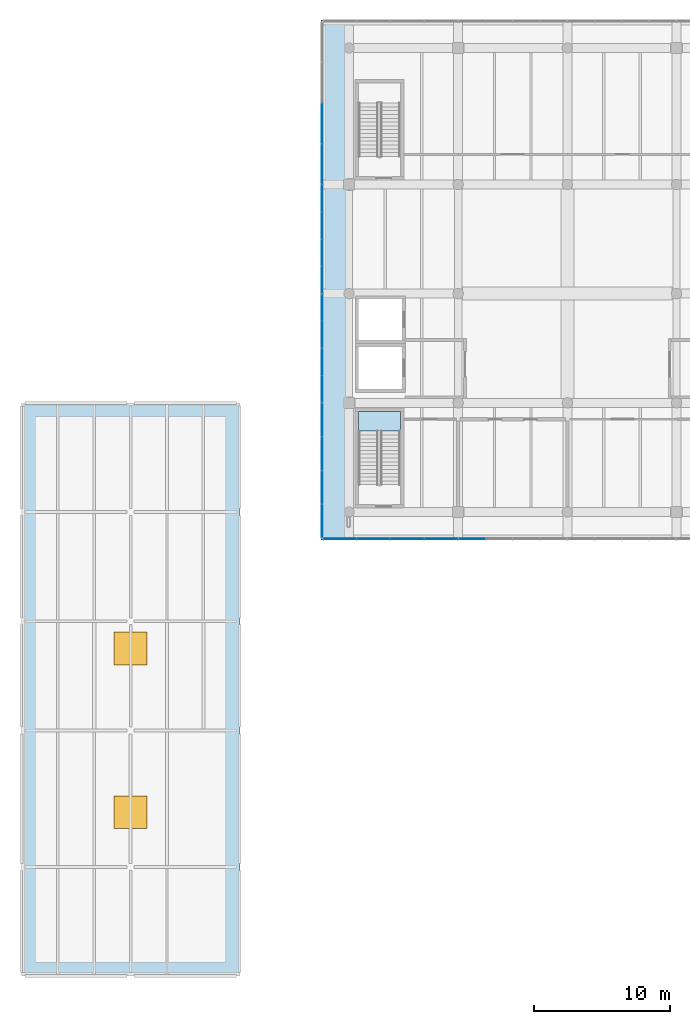
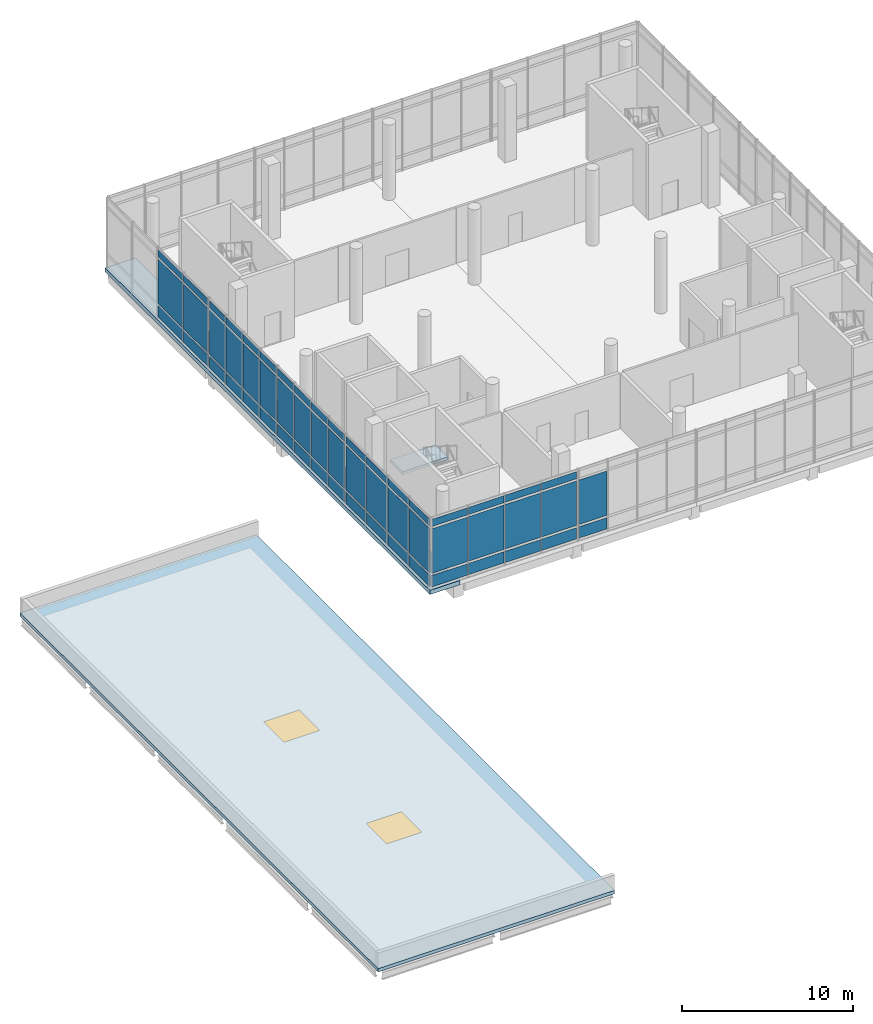
# One storey, part 10 of 20: 56 plates, 3 slabs, 2 windows, 2 openings, 7 elements without a shape of their own.
"""IFC4 building model written with IfcOpenShell, lengths in metres."""

from ifc_helpers import new_model, si_unit, direction, frame, origin, origin_2d, place, context, subcontext, project, spatial, polyline, rectangle, outline, extrude, material, layer, layer_set, type_object, element, fill, aggregate, save


model = new_model("IFC4")

# Units and contexts
model_context = context("Model", 3, precision=1e-05, world=origin(), true_north=direction((0.0, 1.0)))
body_context = subcontext(model_context, "Body", "Model", "MODEL_VIEW")
ifc_project = project(units=[si_unit("LENGTHUNIT", "METRE"), si_unit("AREAUNIT", "SQUARE_METRE"), si_unit("VOLUMEUNIT", "CUBIC_METRE"), si_unit("PLANEANGLEUNIT", "RADIAN"), si_unit("MASSUNIT", "GRAM", prefix="KILO")], contexts=[model_context])

# Site, building, storey
site_placement = place(None, origin())
site = spatial("IfcSite", under=ifc_project, at=site_placement, CompositionType="ELEMENT")
building_placement = place(site_placement, origin())
building = spatial("IfcBuilding", under=site, at=building_placement, Name="Pecanmere Concourse Central Library", CompositionType="ELEMENT")
storey_placement = place(building_placement, frame((0.0, 0.0, 24.89990234375)))
storey = spatial("IfcBuildingStorey", under=building, at=storey_placement, Name="L06", CompositionType="ELEMENT", Elevation=24.89990234375)

# Curtain wall, plates
ifc_material_1 = material(Name="Anodized bronze aluminium alloy 6063-T6", Category="aluminium")
curtain_wall_type = type_object("IfcCurtainWallType", Name="CW_PLUMB_BANDED", PredefinedType="USERDEFINED", material=ifc_material_1)
curtain_wall_1_placement = place(storey_placement, origin())
curtain_wall_1 = element("IfcCurtainWall", 1, at=curtain_wall_1_placement, inside=storey, type_object=curtain_wall_type, Name="Unitised Curtain Wall CW-02 L06-074", ObjectType="UNITISED CURTAIN WALL", PredefinedType="USERDEFINED")
ifc_material_2 = material(Name="White ceramic-fritted insulated spandrel glazing", Category="glass")
ifc_layer_1 = layer(ifc_material_2, 0.053955078125, Name="CWP_SPN_54")
ifc_layer_set_1 = layer_set([ifc_layer_1], Name="White ceramic-fritted insulated spandrel glazing")
plate_type_1 = type_object("IfcPlateType", Name="CWP_SPN_54", PredefinedType="CURTAIN_PANEL", material=ifc_layer_set_1)
plate_1_placement = place(storey_placement, frame((71.334228515625, 88.03857421875, 0.16015625), z_axis=(0.0, 0.0, 1.0), x_axis=(1.0, 0.0, 0.0)))
plate_1 = element("IfcPlate", 2, at=plate_1_placement, type_object=plate_type_1, Name="CW-02 Spandrel Panel 1.1", PredefinedType="CURTAIN_PANEL", context=body_context, shape_type="SweptSolid", body=[
    extrude(rectangle(XDim=2.381591796875, YDim=0.035888671875, at=origin_2d()), origin(), (0.0, 0.0, 1.0), 0.81005859375),
])
plate_2_placement = place(storey_placement, frame((73.797119140625, 88.03857421875, 0.16015625), z_axis=(0.0, 0.0, 1.0), x_axis=(1.0, 0.0, 0.0)))
plate_2 = element("IfcPlate", 3, at=plate_2_placement, type_object=plate_type_1, Name="CW-02 Spandrel Panel 2.1", PredefinedType="CURTAIN_PANEL", context=body_context, shape_type="SweptSolid", body=[
    extrude(rectangle(XDim=2.4140625, YDim=0.035888671875, at=origin_2d()), origin(), (0.0, 0.0, 1.0), 0.81005859375),
])
plate_3_placement = place(storey_placement, frame((76.2763671875, 88.03857421875, 0.16015625), z_axis=(0.0, 0.0, 1.0), x_axis=(1.0, 0.0, 0.0)))
plate_3 = element("IfcPlate", 4, at=plate_3_placement, type_object=plate_type_1, Name="CW-02 Spandrel Panel 3.1", PredefinedType="CURTAIN_PANEL", context=body_context, shape_type="SweptSolid", body=[
    extrude(rectangle(XDim=2.4140625, YDim=0.035888671875, at=origin_2d()), origin(), (0.0, 0.0, 1.0), 0.81005859375),
])
plate_4_placement = place(storey_placement, frame((78.7392578125, 88.03857421875, 0.16015625), z_axis=(0.0, 0.0, 1.0), x_axis=(1.0, 0.0, 0.0)))
plate_4 = element("IfcPlate", 5, at=plate_4_placement, type_object=plate_type_1, Name="CW-02 Spandrel Panel 4.1", PredefinedType="CURTAIN_PANEL", context=body_context, shape_type="SweptSolid", body=[
    extrude(rectangle(XDim=2.381591796875, YDim=0.035888671875, at=origin_2d()), origin(), (0.0, 0.0, 1.0), 0.81005859375),
])

# Curtain wall, plate
curtain_wall_2_placement = place(storey_placement, origin())
curtain_wall_2 = element("IfcCurtainWall", 6, at=curtain_wall_2_placement, inside=storey, type_object=curtain_wall_type, Name="Unitised Curtain Wall CW-02 L06-075", ObjectType="UNITISED CURTAIN WALL", PredefinedType="USERDEFINED")
plate_5_placement = place(storey_placement, frame((81.02001953125, 88.03857421875, 0.16015625), z_axis=(0.0, 0.0, 1.0), x_axis=(1.0, 0.0, 0.0)))
plate_5 = element("IfcPlate", 7, at=plate_5_placement, type_object=plate_type_1, Name="CW-02 Spandrel Panel 1.1", PredefinedType="CURTAIN_PANEL", context=body_context, shape_type="SweptSolid", body=[
    extrude(rectangle(XDim=1.89990234375, YDim=0.035888671875, at=origin_2d()), origin(), (0.0, 0.0, 1.0), 0.81005859375),
])

# Curtain wall, plates
curtain_wall_3_placement = place(storey_placement, origin())
curtain_wall_3 = element("IfcCurtainWall", 8, at=curtain_wall_3_placement, inside=storey, type_object=curtain_wall_type, Name="Unitised Curtain Wall CW-02 L06-081", ObjectType="UNITISED CURTAIN WALL", PredefinedType="USERDEFINED")
plate_6_placement = place(storey_placement, frame((70.03857421875, 118.4736328125, 0.16015625), z_axis=(0.0, 0.0, 1.0), x_axis=(0.0, -1.0, 0.0)))
plate_6 = element("IfcPlate", 9, at=plate_6_placement, type_object=plate_type_1, Name="CW-02 Spandrel Panel 3.1", PredefinedType="CURTAIN_PANEL", context=body_context, shape_type="SweptSolid", body=[
    extrude(rectangle(XDim=2.9140625, YDim=0.035888671875, at=origin_2d()), origin(), (0.0, 0.0, 1.0), 0.81005859375),
])
plate_7_placement = place(storey_placement, frame((70.03857421875, 115.5107421875, 0.16015625), z_axis=(0.0, 0.0, 1.0), x_axis=(0.0, -1.0, 0.0)))
plate_7 = element("IfcPlate", 10, at=plate_7_placement, type_object=plate_type_1, Name="CW-02 Spandrel Panel 4.1", PredefinedType="CURTAIN_PANEL", context=body_context, shape_type="SweptSolid", body=[
    extrude(rectangle(XDim=2.881591796875, YDim=0.035888671875, at=origin_2d()), origin(), (0.0, 0.0, 1.0), 0.81005859375),
])

curtain_wall_4_placement = place(storey_placement, origin())
curtain_wall_4 = element("IfcCurtainWall", 11, at=curtain_wall_4_placement, inside=storey, type_object=curtain_wall_type, Name="Unitised Curtain Wall CW-02 L06-082", ObjectType="UNITISED CURTAIN WALL", PredefinedType="USERDEFINED")
plate_8_placement = place(storey_placement, frame((70.03857421875, 112.97998046875, 0.16015625), z_axis=(0.0, 0.0, 1.0), x_axis=(0.0, -1.0, 0.0)))
plate_8 = element("IfcPlate", 12, at=plate_8_placement, type_object=plate_type_1, Name="CW-02 Spandrel Panel 1.1", PredefinedType="CURTAIN_PANEL", context=body_context, shape_type="SweptSolid", body=[
    extrude(rectangle(XDim=1.89990234375, YDim=0.035888671875, at=origin_2d()), origin(), (0.0, 0.0, 1.0), 0.81005859375),
])
plate_9_placement = place(storey_placement, frame((70.03857421875, 110.998779296875, 0.16015625), z_axis=(0.0, 0.0, 1.0), x_axis=(0.0, -1.0, 0.0)))
plate_9 = element("IfcPlate", 13, at=plate_9_placement, type_object=plate_type_1, Name="CW-02 Spandrel Panel 2.1", PredefinedType="CURTAIN_PANEL", context=body_context, shape_type="SweptSolid", body=[
    extrude(rectangle(XDim=1.9326171875, YDim=0.035888671875, at=origin_2d()), origin(), (0.0, 0.0, 1.0), 0.81005859375),
])
plate_10_placement = place(storey_placement, frame((70.03857421875, 109.001220703125, 0.16015625), z_axis=(0.0, 0.0, 1.0), x_axis=(0.0, -1.0, 0.0)))
plate_10 = element("IfcPlate", 14, at=plate_10_placement, type_object=plate_type_1, Name="CW-02 Spandrel Panel 3.1", PredefinedType="CURTAIN_PANEL", context=body_context, shape_type="SweptSolid", body=[
    extrude(rectangle(XDim=1.9326171875, YDim=0.035888671875, at=origin_2d()), origin(), (0.0, 0.0, 1.0), 0.81005859375),
])
plate_11_placement = place(storey_placement, frame((70.03857421875, 107.02001953125, 0.16015625), z_axis=(0.0, 0.0, 1.0), x_axis=(0.0, -1.0, 0.0)))
plate_11 = element("IfcPlate", 15, at=plate_11_placement, type_object=plate_type_1, Name="CW-02 Spandrel Panel 4.1", PredefinedType="CURTAIN_PANEL", context=body_context, shape_type="SweptSolid", body=[
    extrude(rectangle(XDim=1.89990234375, YDim=0.035888671875, at=origin_2d()), origin(), (0.0, 0.0, 1.0), 0.81005859375),
])

curtain_wall_5_placement = place(storey_placement, origin())
curtain_wall_5 = element("IfcCurtainWall", 16, at=curtain_wall_5_placement, inside=storey, type_object=curtain_wall_type, Name="Unitised Curtain Wall CW-02 L06-083", ObjectType="UNITISED CURTAIN WALL", PredefinedType="USERDEFINED")
plate_12_placement = place(storey_placement, frame((70.03857421875, 104.97998046875, 0.16015625), z_axis=(0.0, 0.0, 1.0), x_axis=(0.0, -1.0, 0.0)))
plate_12 = element("IfcPlate", 17, at=plate_12_placement, type_object=plate_type_1, Name="CW-02 Spandrel Panel 1.1", PredefinedType="CURTAIN_PANEL", context=body_context, shape_type="SweptSolid", body=[
    extrude(rectangle(XDim=1.89990234375, YDim=0.035888671875, at=origin_2d()), origin(), (0.0, 0.0, 1.0), 0.81005859375),
])
plate_13_placement = place(storey_placement, frame((70.03857421875, 102.998779296875, 0.16015625), z_axis=(0.0, 0.0, 1.0), x_axis=(0.0, -1.0, 0.0)))
plate_13 = element("IfcPlate", 18, at=plate_13_placement, type_object=plate_type_1, Name="CW-02 Spandrel Panel 2.1", PredefinedType="CURTAIN_PANEL", context=body_context, shape_type="SweptSolid", body=[
    extrude(rectangle(XDim=1.9326171875, YDim=0.035888671875, at=origin_2d()), origin(), (0.0, 0.0, 1.0), 0.81005859375),
])
plate_14_placement = place(storey_placement, frame((70.03857421875, 101.001220703125, 0.16015625), z_axis=(0.0, 0.0, 1.0), x_axis=(0.0, -1.0, 0.0)))
plate_14 = element("IfcPlate", 19, at=plate_14_placement, type_object=plate_type_1, Name="CW-02 Spandrel Panel 3.1", PredefinedType="CURTAIN_PANEL", context=body_context, shape_type="SweptSolid", body=[
    extrude(rectangle(XDim=1.9326171875, YDim=0.035888671875, at=origin_2d()), origin(), (0.0, 0.0, 1.0), 0.81005859375),
])
plate_15_placement = place(storey_placement, frame((70.03857421875, 99.02001953125, 0.16015625), z_axis=(0.0, 0.0, 1.0), x_axis=(0.0, -1.0, 0.0)))
plate_15 = element("IfcPlate", 20, at=plate_15_placement, type_object=plate_type_1, Name="CW-02 Spandrel Panel 4.1", PredefinedType="CURTAIN_PANEL", context=body_context, shape_type="SweptSolid", body=[
    extrude(rectangle(XDim=1.89990234375, YDim=0.035888671875, at=origin_2d()), origin(), (0.0, 0.0, 1.0), 0.81005859375),
])

curtain_wall_6_placement = place(storey_placement, origin())
curtain_wall_6 = element("IfcCurtainWall", 21, at=curtain_wall_6_placement, inside=storey, type_object=curtain_wall_type, Name="Unitised Curtain Wall CW-02 L06-084", ObjectType="UNITISED CURTAIN WALL", PredefinedType="USERDEFINED")
plate_16_placement = place(storey_placement, frame((70.03857421875, 96.7392578125, 0.16015625), z_axis=(0.0, 0.0, 1.0), x_axis=(0.0, -1.0, 0.0)))
plate_16 = element("IfcPlate", 22, at=plate_16_placement, type_object=plate_type_1, Name="CW-02 Spandrel Panel 1.1", PredefinedType="CURTAIN_PANEL", context=body_context, shape_type="SweptSolid", body=[
    extrude(rectangle(XDim=2.381591796875, YDim=0.035888671875, at=origin_2d()), origin(), (0.0, 0.0, 1.0), 0.81005859375),
])
plate_17_placement = place(storey_placement, frame((70.03857421875, 94.2763671875, 0.16015625), z_axis=(0.0, 0.0, 1.0), x_axis=(0.0, -1.0, 0.0)))
plate_17 = element("IfcPlate", 23, at=plate_17_placement, type_object=plate_type_1, Name="CW-02 Spandrel Panel 2.1", PredefinedType="CURTAIN_PANEL", context=body_context, shape_type="SweptSolid", body=[
    extrude(rectangle(XDim=2.4140625, YDim=0.035888671875, at=origin_2d()), origin(), (0.0, 0.0, 1.0), 0.81005859375),
])
plate_18_placement = place(storey_placement, frame((70.03857421875, 91.797119140625, 0.16015625), z_axis=(0.0, 0.0, 1.0), x_axis=(0.0, -1.0, 0.0)))
plate_18 = element("IfcPlate", 24, at=plate_18_placement, type_object=plate_type_1, Name="CW-02 Spandrel Panel 3.1", PredefinedType="CURTAIN_PANEL", context=body_context, shape_type="SweptSolid", body=[
    extrude(rectangle(XDim=2.4140625, YDim=0.035888671875, at=origin_2d()), origin(), (0.0, 0.0, 1.0), 0.81005859375),
])
plate_19_placement = place(storey_placement, frame((70.03857421875, 89.334228515625, 0.16015625), z_axis=(0.0, 0.0, 1.0), x_axis=(0.0, -1.0, 0.0)))
plate_19 = element("IfcPlate", 25, at=plate_19_placement, type_object=plate_type_1, Name="CW-02 Spandrel Panel 4.1", PredefinedType="CURTAIN_PANEL", context=body_context, shape_type="SweptSolid", body=[
    extrude(rectangle(XDim=2.381591796875, YDim=0.035888671875, at=origin_2d()), origin(), (0.0, 0.0, 1.0), 0.81005859375),
])

# Plate
ifc_material_3 = material(Name="Low-iron clear insulated glazing", Category="glass")
ifc_layer_2 = layer(ifc_material_3, 0.035888671875, Name="CWP_VIS_36")
ifc_layer_set_2 = layer_set([ifc_layer_2], Name="Low-iron clear insulated glazing")
plate_type_2 = type_object("IfcPlateType", Name="CWP_VIS_36", PredefinedType="CURTAIN_PANEL", material=ifc_layer_set_2)
plate_20_placement = place(storey_placement, frame((71.334228515625, 88.03857421875, 1.13037109375), z_axis=(0.0, 0.0, 1.0), x_axis=(1.0, 0.0, 0.0)))
plate_20 = element("IfcPlate", 26, at=plate_20_placement, type_object=plate_type_2, Name="CW-02 Vision Panel 1.2", PredefinedType="CURTAIN_PANEL", context=body_context, shape_type="SweptSolid", body=[
    extrude(rectangle(XDim=2.381591796875, YDim=0.035888671875, at=origin_2d()), origin(), (0.0, 0.0, 1.0), 3.179931640625),
])

plate_21_placement = place(storey_placement, frame((71.334228515625, 88.03857421875, 4.47021484375), z_axis=(0.0, 0.0, 1.0), x_axis=(1.0, 0.0, 0.0)))
plate_21 = element("IfcPlate", 27, at=plate_21_placement, type_object=plate_type_2, Name="CW-02 Vision Panel 1.3", PredefinedType="CURTAIN_PANEL", context=body_context, shape_type="SweptSolid", body=[
    extrude(rectangle(XDim=2.381591796875, YDim=0.035888671875, at=origin_2d()), origin(), (0.0, 0.0, 1.0), 0.510009765625),
])

plate_22_placement = place(storey_placement, frame((73.797119140625, 88.03857421875, 1.13037109375), z_axis=(0.0, 0.0, 1.0), x_axis=(1.0, 0.0, 0.0)))
plate_22 = element("IfcPlate", 28, at=plate_22_placement, type_object=plate_type_2, Name="CW-02 Vision Panel 2.2", PredefinedType="CURTAIN_PANEL", context=body_context, shape_type="SweptSolid", body=[
    extrude(rectangle(XDim=2.4140625, YDim=0.035888671875, at=origin_2d()), origin(), (0.0, 0.0, 1.0), 3.179931640625),
])

plate_23_placement = place(storey_placement, frame((73.797119140625, 88.03857421875, 4.47021484375), z_axis=(0.0, 0.0, 1.0), x_axis=(1.0, 0.0, 0.0)))
plate_23 = element("IfcPlate", 29, at=plate_23_placement, type_object=plate_type_2, Name="CW-02 Vision Panel 2.3", PredefinedType="CURTAIN_PANEL", context=body_context, shape_type="SweptSolid", body=[
    extrude(rectangle(XDim=2.4140625, YDim=0.035888671875, at=origin_2d()), origin(), (0.0, 0.0, 1.0), 0.510009765625),
])

plate_24_placement = place(storey_placement, frame((76.2763671875, 88.03857421875, 1.13037109375), z_axis=(0.0, 0.0, 1.0), x_axis=(1.0, 0.0, 0.0)))
plate_24 = element("IfcPlate", 30, at=plate_24_placement, type_object=plate_type_2, Name="CW-02 Vision Panel 3.2", PredefinedType="CURTAIN_PANEL", context=body_context, shape_type="SweptSolid", body=[
    extrude(rectangle(XDim=2.4140625, YDim=0.035888671875, at=origin_2d()), origin(), (0.0, 0.0, 1.0), 3.179931640625),
])

plate_25_placement = place(storey_placement, frame((76.2763671875, 88.03857421875, 4.47021484375), z_axis=(0.0, 0.0, 1.0), x_axis=(1.0, 0.0, 0.0)))
plate_25 = element("IfcPlate", 31, at=plate_25_placement, type_object=plate_type_2, Name="CW-02 Vision Panel 3.3", PredefinedType="CURTAIN_PANEL", context=body_context, shape_type="SweptSolid", body=[
    extrude(rectangle(XDim=2.4140625, YDim=0.035888671875, at=origin_2d()), origin(), (0.0, 0.0, 1.0), 0.510009765625),
])

plate_26_placement = place(storey_placement, frame((78.7392578125, 88.03857421875, 1.13037109375), z_axis=(0.0, 0.0, 1.0), x_axis=(1.0, 0.0, 0.0)))
plate_26 = element("IfcPlate", 32, at=plate_26_placement, type_object=plate_type_2, Name="CW-02 Vision Panel 4.2", PredefinedType="CURTAIN_PANEL", context=body_context, shape_type="SweptSolid", body=[
    extrude(rectangle(XDim=2.381591796875, YDim=0.035888671875, at=origin_2d()), origin(), (0.0, 0.0, 1.0), 3.179931640625),
])

plate_27_placement = place(storey_placement, frame((78.7392578125, 88.03857421875, 4.47021484375), z_axis=(0.0, 0.0, 1.0), x_axis=(1.0, 0.0, 0.0)))
plate_27 = element("IfcPlate", 33, at=plate_27_placement, type_object=plate_type_2, Name="CW-02 Vision Panel 4.3", PredefinedType="CURTAIN_PANEL", context=body_context, shape_type="SweptSolid", body=[
    extrude(rectangle(XDim=2.381591796875, YDim=0.035888671875, at=origin_2d()), origin(), (0.0, 0.0, 1.0), 0.510009765625),
])

aggregate(curtain_wall_1, [plate_1, plate_20, plate_21, plate_2, plate_22, plate_23, plate_3, plate_24, plate_25, plate_4, plate_26, plate_27])

plate_28_placement = place(storey_placement, frame((81.02001953125, 88.03857421875, 1.13037109375), z_axis=(0.0, 0.0, 1.0), x_axis=(1.0, 0.0, 0.0)))
plate_28 = element("IfcPlate", 34, at=plate_28_placement, type_object=plate_type_2, Name="CW-02 Vision Panel 1.2", PredefinedType="CURTAIN_PANEL", context=body_context, shape_type="SweptSolid", body=[
    extrude(rectangle(XDim=1.89990234375, YDim=0.035888671875, at=origin_2d()), origin(), (0.0, 0.0, 1.0), 3.179931640625),
])

aggregate(curtain_wall_2, [plate_5, plate_28])

plate_29_placement = place(storey_placement, frame((70.03857421875, 118.4736328125, 1.13037109375), z_axis=(0.0, 0.0, 1.0), x_axis=(0.0, -1.0, 0.0)))
plate_29 = element("IfcPlate", 35, at=plate_29_placement, type_object=plate_type_2, Name="CW-02 Vision Panel 3.2", PredefinedType="CURTAIN_PANEL", context=body_context, shape_type="SweptSolid", body=[
    extrude(rectangle(XDim=2.9140625, YDim=0.035888671875, at=origin_2d()), origin(), (0.0, 0.0, 1.0), 3.179931640625),
])

plate_30_placement = place(storey_placement, frame((70.03857421875, 118.4736328125, 4.47021484375), z_axis=(0.0, 0.0, 1.0), x_axis=(0.0, -1.0, 0.0)))
plate_30 = element("IfcPlate", 36, at=plate_30_placement, type_object=plate_type_2, Name="CW-02 Vision Panel 3.3", PredefinedType="CURTAIN_PANEL", context=body_context, shape_type="SweptSolid", body=[
    extrude(rectangle(XDim=2.9140625, YDim=0.035888671875, at=origin_2d()), origin(), (0.0, 0.0, 1.0), 0.510009765625),
])

plate_31_placement = place(storey_placement, frame((70.03857421875, 115.5107421875, 1.13037109375), z_axis=(0.0, 0.0, 1.0), x_axis=(0.0, -1.0, 0.0)))
plate_31 = element("IfcPlate", 37, at=plate_31_placement, type_object=plate_type_2, Name="CW-02 Vision Panel 4.2", PredefinedType="CURTAIN_PANEL", context=body_context, shape_type="SweptSolid", body=[
    extrude(rectangle(XDim=2.881591796875, YDim=0.035888671875, at=origin_2d()), origin(), (0.0, 0.0, 1.0), 3.179931640625),
])

plate_32_placement = place(storey_placement, frame((70.03857421875, 115.5107421875, 4.47021484375), z_axis=(0.0, 0.0, 1.0), x_axis=(0.0, -1.0, 0.0)))
plate_32 = element("IfcPlate", 38, at=plate_32_placement, type_object=plate_type_2, Name="CW-02 Vision Panel 4.3", PredefinedType="CURTAIN_PANEL", context=body_context, shape_type="SweptSolid", body=[
    extrude(rectangle(XDim=2.881591796875, YDim=0.035888671875, at=origin_2d()), origin(), (0.0, 0.0, 1.0), 0.510009765625),
])

aggregate(curtain_wall_3, [plate_6, plate_29, plate_30, plate_7, plate_31, plate_32])

plate_33_placement = place(storey_placement, frame((70.03857421875, 112.97998046875, 1.13037109375), z_axis=(0.0, 0.0, 1.0), x_axis=(0.0, -1.0, 0.0)))
plate_33 = element("IfcPlate", 39, at=plate_33_placement, type_object=plate_type_2, Name="CW-02 Vision Panel 1.2", PredefinedType="CURTAIN_PANEL", context=body_context, shape_type="SweptSolid", body=[
    extrude(rectangle(XDim=1.89990234375, YDim=0.035888671875, at=origin_2d()), origin(), (0.0, 0.0, 1.0), 3.179931640625),
])

plate_34_placement = place(storey_placement, frame((70.03857421875, 112.97998046875, 4.47021484375), z_axis=(0.0, 0.0, 1.0), x_axis=(0.0, -1.0, 0.0)))
plate_34 = element("IfcPlate", 40, at=plate_34_placement, type_object=plate_type_2, Name="CW-02 Vision Panel 1.3", PredefinedType="CURTAIN_PANEL", context=body_context, shape_type="SweptSolid", body=[
    extrude(rectangle(XDim=1.89990234375, YDim=0.035888671875, at=origin_2d()), origin(), (0.0, 0.0, 1.0), 0.510009765625),
])

plate_35_placement = place(storey_placement, frame((70.03857421875, 110.998779296875, 1.13037109375), z_axis=(0.0, 0.0, 1.0), x_axis=(0.0, -1.0, 0.0)))
plate_35 = element("IfcPlate", 41, at=plate_35_placement, type_object=plate_type_2, Name="CW-02 Vision Panel 2.2", PredefinedType="CURTAIN_PANEL", context=body_context, shape_type="SweptSolid", body=[
    extrude(rectangle(XDim=1.9326171875, YDim=0.035888671875, at=origin_2d()), origin(), (0.0, 0.0, 1.0), 3.179931640625),
])

plate_36_placement = place(storey_placement, frame((70.03857421875, 110.998779296875, 4.47021484375), z_axis=(0.0, 0.0, 1.0), x_axis=(0.0, -1.0, 0.0)))
plate_36 = element("IfcPlate", 42, at=plate_36_placement, type_object=plate_type_2, Name="CW-02 Vision Panel 2.3", PredefinedType="CURTAIN_PANEL", context=body_context, shape_type="SweptSolid", body=[
    extrude(rectangle(XDim=1.9326171875, YDim=0.035888671875, at=origin_2d()), origin(), (0.0, 0.0, 1.0), 0.510009765625),
])

plate_37_placement = place(storey_placement, frame((70.03857421875, 109.001220703125, 1.13037109375), z_axis=(0.0, 0.0, 1.0), x_axis=(0.0, -1.0, 0.0)))
plate_37 = element("IfcPlate", 43, at=plate_37_placement, type_object=plate_type_2, Name="CW-02 Vision Panel 3.2", PredefinedType="CURTAIN_PANEL", context=body_context, shape_type="SweptSolid", body=[
    extrude(rectangle(XDim=1.9326171875, YDim=0.035888671875, at=origin_2d()), origin(), (0.0, 0.0, 1.0), 3.179931640625),
])

plate_38_placement = place(storey_placement, frame((70.03857421875, 109.001220703125, 4.47021484375), z_axis=(0.0, 0.0, 1.0), x_axis=(0.0, -1.0, 0.0)))
plate_38 = element("IfcPlate", 44, at=plate_38_placement, type_object=plate_type_2, Name="CW-02 Vision Panel 3.3", PredefinedType="CURTAIN_PANEL", context=body_context, shape_type="SweptSolid", body=[
    extrude(rectangle(XDim=1.9326171875, YDim=0.035888671875, at=origin_2d()), origin(), (0.0, 0.0, 1.0), 0.510009765625),
])

plate_39_placement = place(storey_placement, frame((70.03857421875, 107.02001953125, 1.13037109375), z_axis=(0.0, 0.0, 1.0), x_axis=(0.0, -1.0, 0.0)))
plate_39 = element("IfcPlate", 45, at=plate_39_placement, type_object=plate_type_2, Name="CW-02 Vision Panel 4.2", PredefinedType="CURTAIN_PANEL", context=body_context, shape_type="SweptSolid", body=[
    extrude(rectangle(XDim=1.89990234375, YDim=0.035888671875, at=origin_2d()), origin(), (0.0, 0.0, 1.0), 3.179931640625),
])

plate_40_placement = place(storey_placement, frame((70.03857421875, 107.02001953125, 4.47021484375), z_axis=(0.0, 0.0, 1.0), x_axis=(0.0, -1.0, 0.0)))
plate_40 = element("IfcPlate", 46, at=plate_40_placement, type_object=plate_type_2, Name="CW-02 Vision Panel 4.3", PredefinedType="CURTAIN_PANEL", context=body_context, shape_type="SweptSolid", body=[
    extrude(rectangle(XDim=1.89990234375, YDim=0.035888671875, at=origin_2d()), origin(), (0.0, 0.0, 1.0), 0.510009765625),
])

aggregate(curtain_wall_4, [plate_8, plate_33, plate_34, plate_9, plate_35, plate_36, plate_10, plate_37, plate_38, plate_11, plate_39, plate_40])

plate_41_placement = place(storey_placement, frame((70.03857421875, 104.97998046875, 1.13037109375), z_axis=(0.0, 0.0, 1.0), x_axis=(0.0, -1.0, 0.0)))
plate_41 = element("IfcPlate", 47, at=plate_41_placement, type_object=plate_type_2, Name="CW-02 Vision Panel 1.2", PredefinedType="CURTAIN_PANEL", context=body_context, shape_type="SweptSolid", body=[
    extrude(rectangle(XDim=1.89990234375, YDim=0.035888671875, at=origin_2d()), origin(), (0.0, 0.0, 1.0), 3.179931640625),
])

plate_42_placement = place(storey_placement, frame((70.03857421875, 104.97998046875, 4.47021484375), z_axis=(0.0, 0.0, 1.0), x_axis=(0.0, -1.0, 0.0)))
plate_42 = element("IfcPlate", 48, at=plate_42_placement, type_object=plate_type_2, Name="CW-02 Vision Panel 1.3", PredefinedType="CURTAIN_PANEL", context=body_context, shape_type="SweptSolid", body=[
    extrude(rectangle(XDim=1.89990234375, YDim=0.035888671875, at=origin_2d()), origin(), (0.0, 0.0, 1.0), 0.510009765625),
])

plate_43_placement = place(storey_placement, frame((70.03857421875, 102.998779296875, 1.13037109375), z_axis=(0.0, 0.0, 1.0), x_axis=(0.0, -1.0, 0.0)))
plate_43 = element("IfcPlate", 49, at=plate_43_placement, type_object=plate_type_2, Name="CW-02 Vision Panel 2.2", PredefinedType="CURTAIN_PANEL", context=body_context, shape_type="SweptSolid", body=[
    extrude(rectangle(XDim=1.9326171875, YDim=0.035888671875, at=origin_2d()), origin(), (0.0, 0.0, 1.0), 3.179931640625),
])

plate_44_placement = place(storey_placement, frame((70.03857421875, 102.998779296875, 4.47021484375), z_axis=(0.0, 0.0, 1.0), x_axis=(0.0, -1.0, 0.0)))
plate_44 = element("IfcPlate", 50, at=plate_44_placement, type_object=plate_type_2, Name="CW-02 Vision Panel 2.3", PredefinedType="CURTAIN_PANEL", context=body_context, shape_type="SweptSolid", body=[
    extrude(rectangle(XDim=1.9326171875, YDim=0.035888671875, at=origin_2d()), origin(), (0.0, 0.0, 1.0), 0.510009765625),
])

plate_45_placement = place(storey_placement, frame((70.03857421875, 101.001220703125, 1.13037109375), z_axis=(0.0, 0.0, 1.0), x_axis=(0.0, -1.0, 0.0)))
plate_45 = element("IfcPlate", 51, at=plate_45_placement, type_object=plate_type_2, Name="CW-02 Vision Panel 3.2", PredefinedType="CURTAIN_PANEL", context=body_context, shape_type="SweptSolid", body=[
    extrude(rectangle(XDim=1.9326171875, YDim=0.035888671875, at=origin_2d()), origin(), (0.0, 0.0, 1.0), 3.179931640625),
])

plate_46_placement = place(storey_placement, frame((70.03857421875, 101.001220703125, 4.47021484375), z_axis=(0.0, 0.0, 1.0), x_axis=(0.0, -1.0, 0.0)))
plate_46 = element("IfcPlate", 52, at=plate_46_placement, type_object=plate_type_2, Name="CW-02 Vision Panel 3.3", PredefinedType="CURTAIN_PANEL", context=body_context, shape_type="SweptSolid", body=[
    extrude(rectangle(XDim=1.9326171875, YDim=0.035888671875, at=origin_2d()), origin(), (0.0, 0.0, 1.0), 0.510009765625),
])

plate_47_placement = place(storey_placement, frame((70.03857421875, 99.02001953125, 1.13037109375), z_axis=(0.0, 0.0, 1.0), x_axis=(0.0, -1.0, 0.0)))
plate_47 = element("IfcPlate", 53, at=plate_47_placement, type_object=plate_type_2, Name="CW-02 Vision Panel 4.2", PredefinedType="CURTAIN_PANEL", context=body_context, shape_type="SweptSolid", body=[
    extrude(rectangle(XDim=1.89990234375, YDim=0.035888671875, at=origin_2d()), origin(), (0.0, 0.0, 1.0), 3.179931640625),
])

plate_48_placement = place(storey_placement, frame((70.03857421875, 99.02001953125, 4.47021484375), z_axis=(0.0, 0.0, 1.0), x_axis=(0.0, -1.0, 0.0)))
plate_48 = element("IfcPlate", 54, at=plate_48_placement, type_object=plate_type_2, Name="CW-02 Vision Panel 4.3", PredefinedType="CURTAIN_PANEL", context=body_context, shape_type="SweptSolid", body=[
    extrude(rectangle(XDim=1.89990234375, YDim=0.035888671875, at=origin_2d()), origin(), (0.0, 0.0, 1.0), 0.510009765625),
])

aggregate(curtain_wall_5, [plate_12, plate_41, plate_42, plate_13, plate_43, plate_44, plate_14, plate_45, plate_46, plate_15, plate_47, plate_48])

plate_49_placement = place(storey_placement, frame((70.03857421875, 96.7392578125, 1.13037109375), z_axis=(0.0, 0.0, 1.0), x_axis=(0.0, -1.0, 0.0)))
plate_49 = element("IfcPlate", 55, at=plate_49_placement, type_object=plate_type_2, Name="CW-02 Vision Panel 1.2", PredefinedType="CURTAIN_PANEL", context=body_context, shape_type="SweptSolid", body=[
    extrude(rectangle(XDim=2.381591796875, YDim=0.035888671875, at=origin_2d()), origin(), (0.0, 0.0, 1.0), 3.179931640625),
])

plate_50_placement = place(storey_placement, frame((70.03857421875, 96.7392578125, 4.47021484375), z_axis=(0.0, 0.0, 1.0), x_axis=(0.0, -1.0, 0.0)))
plate_50 = element("IfcPlate", 56, at=plate_50_placement, type_object=plate_type_2, Name="CW-02 Vision Panel 1.3", PredefinedType="CURTAIN_PANEL", context=body_context, shape_type="SweptSolid", body=[
    extrude(rectangle(XDim=2.381591796875, YDim=0.035888671875, at=origin_2d()), origin(), (0.0, 0.0, 1.0), 0.510009765625),
])

plate_51_placement = place(storey_placement, frame((70.03857421875, 94.2763671875, 1.13037109375), z_axis=(0.0, 0.0, 1.0), x_axis=(0.0, -1.0, 0.0)))
plate_51 = element("IfcPlate", 57, at=plate_51_placement, type_object=plate_type_2, Name="CW-02 Vision Panel 2.2", PredefinedType="CURTAIN_PANEL", context=body_context, shape_type="SweptSolid", body=[
    extrude(rectangle(XDim=2.4140625, YDim=0.035888671875, at=origin_2d()), origin(), (0.0, 0.0, 1.0), 3.179931640625),
])

plate_52_placement = place(storey_placement, frame((70.03857421875, 94.2763671875, 4.47021484375), z_axis=(0.0, 0.0, 1.0), x_axis=(0.0, -1.0, 0.0)))
plate_52 = element("IfcPlate", 58, at=plate_52_placement, type_object=plate_type_2, Name="CW-02 Vision Panel 2.3", PredefinedType="CURTAIN_PANEL", context=body_context, shape_type="SweptSolid", body=[
    extrude(rectangle(XDim=2.4140625, YDim=0.035888671875, at=origin_2d()), origin(), (0.0, 0.0, 1.0), 0.510009765625),
])

plate_53_placement = place(storey_placement, frame((70.03857421875, 91.797119140625, 1.13037109375), z_axis=(0.0, 0.0, 1.0), x_axis=(0.0, -1.0, 0.0)))
plate_53 = element("IfcPlate", 59, at=plate_53_placement, type_object=plate_type_2, Name="CW-02 Vision Panel 3.2", PredefinedType="CURTAIN_PANEL", context=body_context, shape_type="SweptSolid", body=[
    extrude(rectangle(XDim=2.4140625, YDim=0.035888671875, at=origin_2d()), origin(), (0.0, 0.0, 1.0), 3.179931640625),
])

plate_54_placement = place(storey_placement, frame((70.03857421875, 91.797119140625, 4.47021484375), z_axis=(0.0, 0.0, 1.0), x_axis=(0.0, -1.0, 0.0)))
plate_54 = element("IfcPlate", 60, at=plate_54_placement, type_object=plate_type_2, Name="CW-02 Vision Panel 3.3", PredefinedType="CURTAIN_PANEL", context=body_context, shape_type="SweptSolid", body=[
    extrude(rectangle(XDim=2.4140625, YDim=0.035888671875, at=origin_2d()), origin(), (0.0, 0.0, 1.0), 0.510009765625),
])

plate_55_placement = place(storey_placement, frame((70.03857421875, 89.334228515625, 1.13037109375), z_axis=(0.0, 0.0, 1.0), x_axis=(0.0, -1.0, 0.0)))
plate_55 = element("IfcPlate", 61, at=plate_55_placement, type_object=plate_type_2, Name="CW-02 Vision Panel 4.2", PredefinedType="CURTAIN_PANEL", context=body_context, shape_type="SweptSolid", body=[
    extrude(rectangle(XDim=2.381591796875, YDim=0.035888671875, at=origin_2d()), origin(), (0.0, 0.0, 1.0), 3.179931640625),
])

plate_56_placement = place(storey_placement, frame((70.03857421875, 89.334228515625, 4.47021484375), z_axis=(0.0, 0.0, 1.0), x_axis=(0.0, -1.0, 0.0)))
plate_56 = element("IfcPlate", 62, at=plate_56_placement, type_object=plate_type_2, Name="CW-02 Vision Panel 4.3", PredefinedType="CURTAIN_PANEL", context=body_context, shape_type="SweptSolid", body=[
    extrude(rectangle(XDim=2.381591796875, YDim=0.035888671875, at=origin_2d()), origin(), (0.0, 0.0, 1.0), 0.510009765625),
])

aggregate(curtain_wall_6, [plate_16, plate_49, plate_50, plate_17, plate_51, plate_52, plate_18, plate_53, plate_54, plate_19, plate_55, plate_56])

# Stair, slab
ifc_material_4 = material(Name="Concrete C35/45", Category="concrete")
stair_type = type_object("IfcStairType", Name="STAIR_TYPE_ST-01-1800", PredefinedType="USERDEFINED", material=ifc_material_4)
stair_placement = place(storey_placement, origin())
stair = element("IfcStair", 63, at=stair_placement, inside=storey, type_object=stair_type, Name="L06 Protected Stair ST-01", ObjectType="TWO_RETURN_STAIR", PredefinedType="USERDEFINED")
ifc_material_5 = material(Name="Concrete C35/45", Category="concrete")
ifc_layer_3 = layer(ifc_material_5, 0.199951171875, Name="SLAB_LANDING_200")
ifc_layer_set_3 = layer_set([ifc_layer_3], Name="Concrete C35/45")
slab_type_1 = type_object("IfcSlabType", Name="SLAB_LANDING_200", PredefinedType="LANDING", material=ifc_layer_set_3)
slab_1_placement = place(storey_placement, frame((0.0, 0.0, 2.5)))
slab_1 = element("IfcSlab", 64, at=slab_1_placement, type_object=slab_type_1, Name="ST-01-1800 landing 1", PredefinedType="LANDING", context=body_context, shape_type="SweptSolid", body=[
    extrude(outline(polyline([(75.760009765625, 95.919921875), (75.760009765625, 97.3701171875), (72.699951171875, 97.3701171875), (72.699951171875, 95.919921875), (75.760009765625, 95.919921875)])), origin(), (0.0, 0.0, 1.0), 0.2001953125),
])
aggregate(stair, [slab_1])

# Slab, openings, windows
ifc_material_6 = material(Name="Concrete C35/45", Category="concrete")
ifc_layer_4 = layer(ifc_material_6, 0.239990234375, Name="SLAB_ROOF_240")
ifc_layer_set_4 = layer_set([ifc_layer_4], Name="Concrete C35/45")
slab_type_2 = type_object("IfcSlabType", Name="SLAB_ROOF_240", PredefinedType="ROOF", material=ifc_layer_set_4)
slab_2_placement = place(storey_placement, frame((0.0, 0.0, -0.239990234375)))
slab_2 = element("IfcSlab", 65, at=slab_2_placement, inside=storey, type_object=slab_type_2, Name="Wing Roof Slab ROOF_V3_TOP_L06", PredefinedType="ROOF", context=body_context, shape_type="SweptSolid", body=[
    extrude(outline(polyline([(64.0, 56.0), (64.0, 98.0), (48.0, 98.0), (48.0, 56.0), (64.0, 56.0)])), origin(), (0.0, 0.0, 1.0), 0.239990234375),
])
opening_1_placement = place(slab_2_placement, frame((56.0, 68.0, 0.0)))
opening_1 = element("IfcOpeningElement", 66, at=opening_1_placement, cuts=slab_2, Name="Opening SK-03", PredefinedType="OPENING", context=body_context, shape_type="SweptSolid", body=[
    extrude(rectangle(XDim=2.39990234375, YDim=2.39990234375, at=origin_2d()), origin(), (0.0, 0.0, 1.0), 0.239990234375),
])
opening_2_placement = place(slab_2_placement, frame((56.0, 80.0, 0.0)))
opening_2 = element("IfcOpeningElement", 67, at=opening_2_placement, cuts=slab_2, Name="Opening SK-03", PredefinedType="OPENING", context=body_context, shape_type="SweptSolid", body=[
    extrude(rectangle(XDim=2.39990234375, YDim=2.39990234375, at=origin_2d()), origin(), (0.0, 0.0, 1.0), 0.239990234375),
])
ifc_material_7 = material(Name="Laminated solar-control skylight glazing", Category="glass")
window_type = type_object("IfcWindowType", Name="SKY_2400x2400", PartitioningType="SINGLE_PANEL", PredefinedType="SKYLIGHT", material=ifc_material_7)
window_1_placement = place(opening_1_placement, frame((0.0, 0.0, 0.18994140625)))
window_1 = element("IfcWindow", 68, at=window_1_placement, inside=storey, type_object=window_type, Name="SK-09", OverallHeight=2.39990234375, OverallWidth=2.39990234375, PartitioningType="SINGLE_PANEL", PredefinedType="SKYLIGHT", context=body_context, shape_type="SweptSolid", body=[
    extrude(rectangle(XDim=2.39990234375, YDim=2.39990234375, at=origin_2d()), origin(), (0.0, 0.0, 1.0), 0.050048828125),
])
fill(opening_1, window_1)
window_2_placement = place(opening_2_placement, frame((0.0, 0.0, 0.18994140625)))
window_2 = element("IfcWindow", 69, at=window_2_placement, inside=storey, type_object=window_type, Name="SK-10", OverallHeight=2.39990234375, OverallWidth=2.39990234375, PartitioningType="SINGLE_PANEL", PredefinedType="SKYLIGHT", context=body_context, shape_type="SweptSolid", body=[
    extrude(rectangle(XDim=2.39990234375, YDim=2.39990234375, at=origin_2d()), origin(), (0.0, 0.0, 1.0), 0.050048828125),
])
fill(opening_2, window_2)

# Slab
ifc_material_8 = material(Name="Concrete C35/45", Category="concrete")
ifc_layer_5 = layer(ifc_material_8, 0.300048828125, Name="SLAB_STACK_300")
ifc_layer_set_5 = layer_set([ifc_layer_5], Name="Concrete C35/45")
slab_type_3 = type_object("IfcSlabType", Name="SLAB_STACK_300", PredefinedType="FLOOR", material=ifc_layer_set_5)
slab_3_placement = place(storey_placement, frame((0.0, 0.0, -0.2998046875)))
element("IfcSlab", 70, at=slab_3_placement, inside=storey, type_object=slab_type_3, Name="Floor Slab V1 L06-140", PredefinedType="FLOOR", context=body_context, shape_type="SweptSolid", body=[
    extrude(outline(polyline([(72.0, 89.55859375), (71.919921875, 89.55859375), (71.919921875, 88.95849609375), (72.0, 88.95849609375), (72.0, 87.95849609375), (69.95849609375, 87.95849609375), (69.95849609375, 126.04150390625), (72.0, 126.04150390625), (72.0, 89.55859375)])), origin(), (0.0, 0.0, 1.0), 0.2998046875),
])

save(model, "model.ifc")
